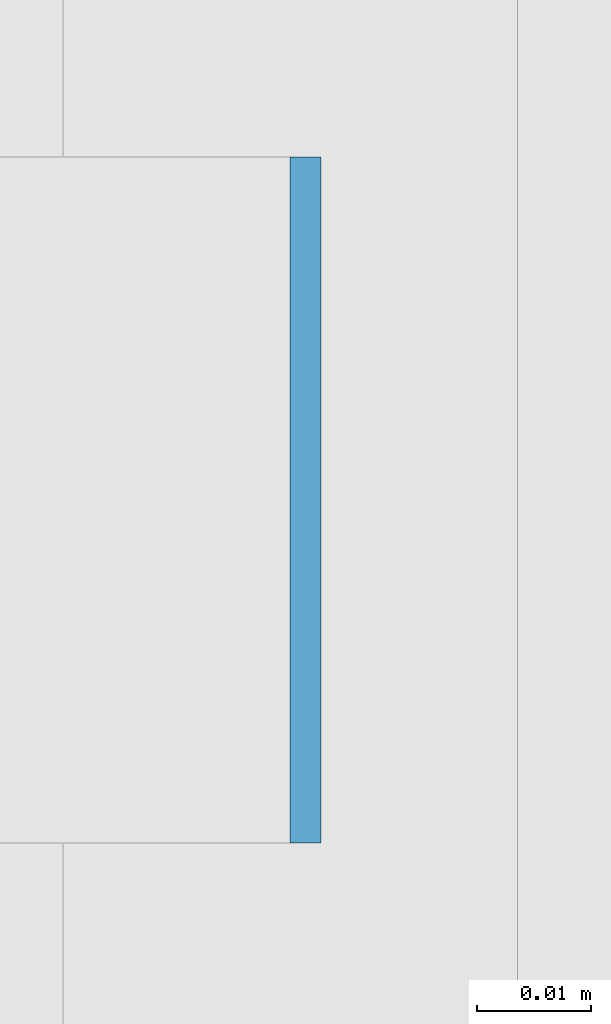
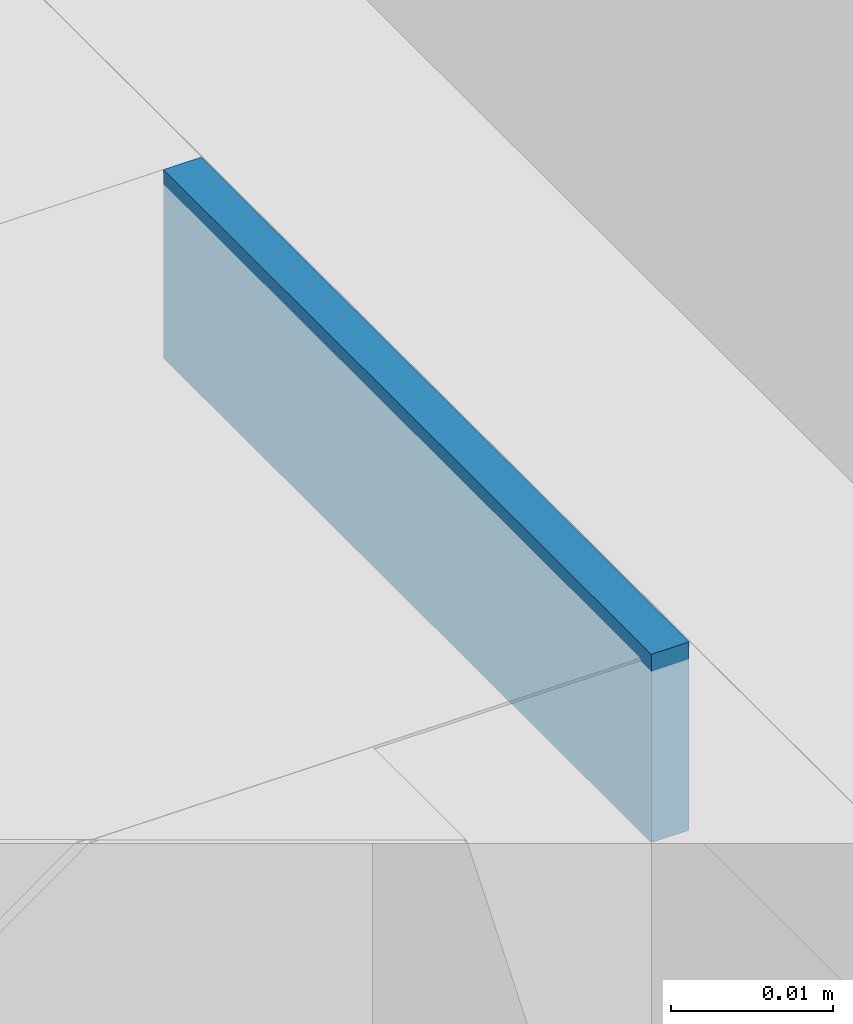
# One storey, part 391 of 646: 1 discrete accessory.
"""IFC4 building model written with IfcOpenShell, lengths in metres."""

from ifc_helpers import new_model, si_unit, direction, frame, origin, origin_2d, place, context, subcontext, project, spatial, rectangle, extrude, material, type_object, element, save


model = new_model("IFC4")

# Units and contexts
model_context = context("Model", 3, precision=1e-05, world=origin(), true_north=direction((0.0, 1.0)))
body_context = subcontext(model_context, "Body", "Model", "MODEL_VIEW")
ifc_project = project(units=[si_unit("LENGTHUNIT", "METRE"), si_unit("AREAUNIT", "SQUARE_METRE"), si_unit("VOLUMEUNIT", "CUBIC_METRE"), si_unit("PLANEANGLEUNIT", "RADIAN"), si_unit("MASSUNIT", "GRAM", prefix="KILO")], contexts=[model_context])

# Site, building, storey
site_placement = place(None, origin())
site = spatial("IfcSite", under=ifc_project, at=site_placement, CompositionType="ELEMENT")
building_placement = place(site_placement, origin())
building = spatial("IfcBuilding", under=site, at=building_placement, Name="Silverbay Arena", CompositionType="ELEMENT")
storey_placement = place(building_placement, frame((0.0, 0.0, 33.5)))
storey = spatial("IfcBuildingStorey", under=building, at=storey_placement, Name="L05", CompositionType="ELEMENT", Elevation=33.5)

# Discrete accessory
ifc_material = material(Name="Steel S355", Category="steel")
discrete_accessory_type = type_object("IfcDiscreteAccessoryType", Name="Steel bracket plate", PredefinedType="BRACKET", material=ifc_material)
discrete_accessory_placement = place(storey_placement, frame((53.871337890625, 114.428466796875, 12.98583984375), z_axis=(0.0, 0.0, 1.0), x_axis=(1.0, 0.0, 0.0)))
element("IfcDiscreteAccessory", 1, at=discrete_accessory_placement, inside=storey, type_object=discrete_accessory_type, Name="Curtain wall packing plate", PredefinedType="BRACKET", context=body_context, shape_type="SweptSolid", body=[
    extrude(rectangle(XDim=0.002685546875, YDim=0.06005859375, at=origin_2d()), origin(), (0.0, 0.0, 1.0), 0.01416015625),
])

save(model, "model.ifc")
